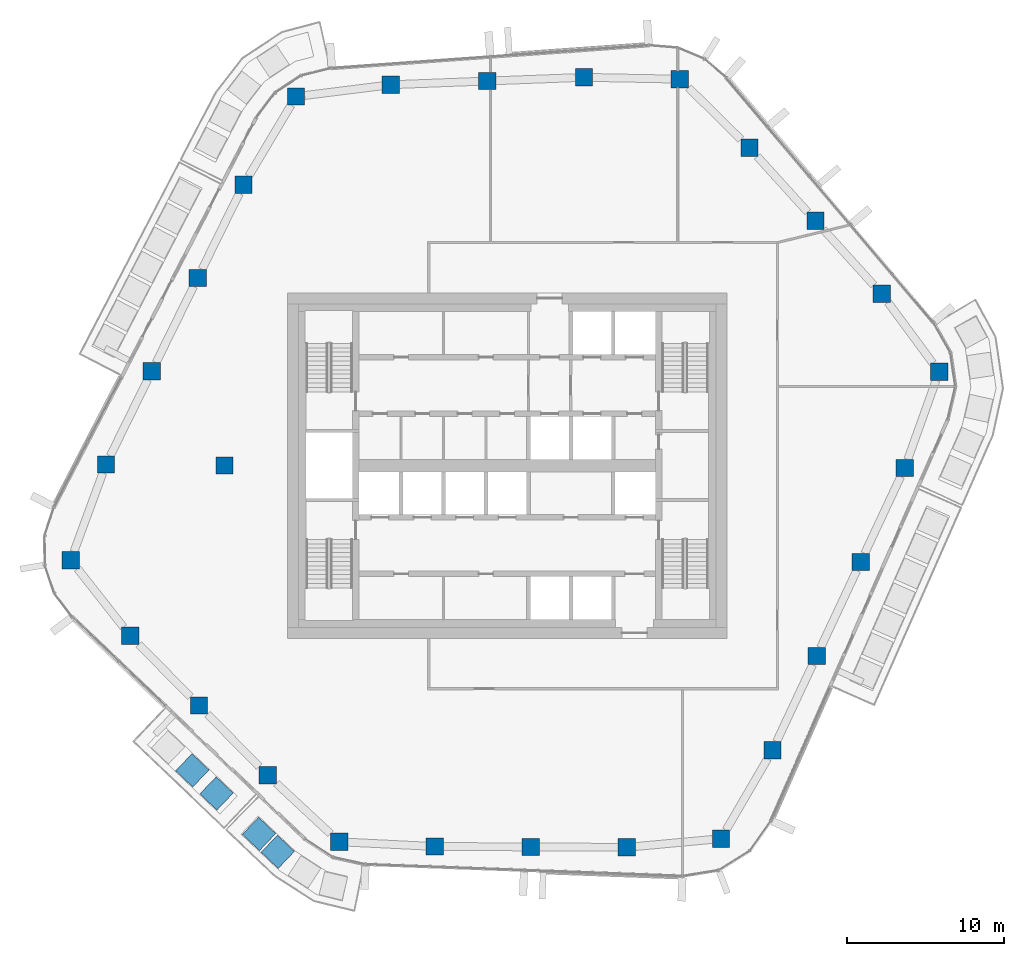
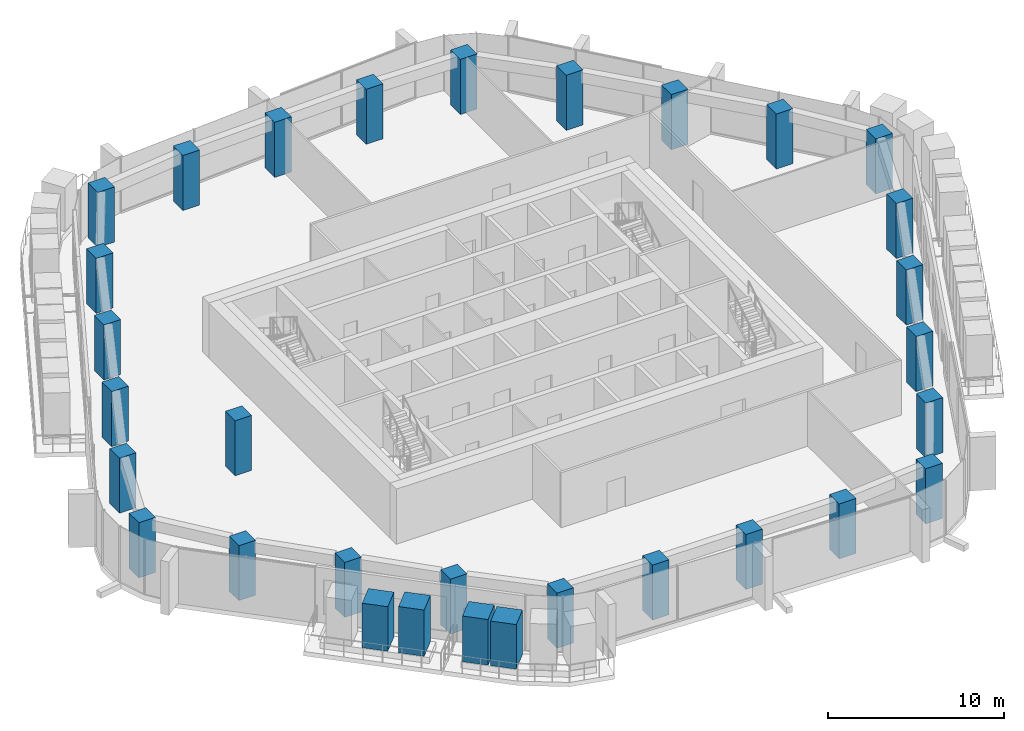
# One storey, part 1 of 21: 27 columns, 4 members.
"""IFC4 building model written with IfcOpenShell, lengths in metres."""

from ifc_helpers import new_model, si_unit, direction, frame, origin, origin_2d, place, context, subcontext, project, spatial, rectangle, extrude, material, material_profile, profile_set, type_object, element, save


model = new_model("IFC4")

# Units and contexts
model_context = context("Model", 3, precision=1e-05, world=origin(), true_north=direction((0.0, 1.0)))
body_context = subcontext(model_context, "Body", "Model", "MODEL_VIEW")
ifc_project = project(units=[si_unit("LENGTHUNIT", "METRE"), si_unit("AREAUNIT", "SQUARE_METRE"), si_unit("VOLUMEUNIT", "CUBIC_METRE"), si_unit("PLANEANGLEUNIT", "RADIAN"), si_unit("MASSUNIT", "GRAM", prefix="KILO")], contexts=[model_context])

# Site, building, storey
site_placement = place(None, origin())
site = spatial("IfcSite", under=ifc_project, at=site_placement, CompositionType="ELEMENT")
building_placement = place(site_placement, origin())
building = spatial("IfcBuilding", under=site, at=building_placement, Name="Dongbaek Canopy Tower", CompositionType="ELEMENT")
storey_placement = place(building_placement, frame((0.0, 0.0, 270.60009765625)))
storey = spatial("IfcBuildingStorey", under=building, at=storey_placement, Name="L57", CompositionType="ELEMENT", Elevation=270.60009765625)

# Columns
ifc_material_1 = material(Name="Concrete C70", Category="concrete")
ifc_material_profile_1 = material_profile(ifc_material_1, rectangle(XDim=1.10009765625, YDim=1.10009765625, at=origin_2d()), Name="RC COLUMN 1100x1100 C70")
ifc_profile_set_1 = profile_set([ifc_material_profile_1], Name="Concrete C70")
column_type = type_object("IfcColumnType", Name="RC COLUMN 1100x1100 C70", PredefinedType="COLUMN", material=ifc_profile_set_1)
for number, where, z_axis, x_axis, name in (
    (1, (13.612060546875, -23.74609375, 0.0), (0.0, 0.0, 1.0), (1.0, 0.0, 0.0), "COL:CZ4-01:L57"),
    (2, (7.615966796875, -24.300048828125, 0.0), (0.0, 0.0, 1.0), (1.0, 0.0, 0.0), "COL:CZ4-02:L57"),
    (3, (1.501953125, -24.27197265625, 0.0), (0.0, 0.0, 1.0), (1.0, 0.0, 0.0), "COL:CZ4-03:L57"),
    (4, (-4.611083984375, -24.24609375, 0.0), (0.0, 0.0, 1.0), (1.0, 0.0, 0.0), "COL:CZ4-04:L57"),
    (5, (-10.697021484375, -23.946044921875, 0.0), (0.0, 0.0, 1.0), (1.0, 0.0, 0.0), "COL:CZ4-05:L57"),
    (6, (-15.2470703125, -19.714111328125, 0.0), (0.0, 0.0, 1.0), (1.0, 0.0, 0.0), "COL:CZ4-06:L57"),
    (7, (-19.6220703125, -15.27197265625, 0.0), (0.0, 0.0, 1.0), (1.0, 0.0, 0.0), "COL:CZ4-07:L57"),
    (8, (-23.9970703125, -10.8291015625, 0.0), (0.0, 0.0, 1.0), (1.0, 0.0, 0.0), "COL:CZ4-08:L57"),
    (9, (-27.781982421875, -6.02001953125, 0.0), (0.0, 0.0, 1.0), (1.0, 0.0, 0.0), "COL:CZ4-09:L57"),
    (10, (-25.5400390625, 0.075927734375, 0.0), (0.0, 0.0, 1.0), (1.0, 0.0, 0.0), "COL:CZ4-10:L57"),
    (11, (-22.62109375, 6.010986328125, 0.0), (0.0, 0.0, 1.0), (1.0, 0.0, 0.0), "COL:CZ4-11:L57"),
    (12, (-19.701904296875, 11.945068359375, 0.0), (0.0, 0.0, 1.0), (1.0, 0.0, 0.0), "COL:CZ4-12:L57"),
    (13, (-16.783935546875, 17.8779296875, 0.0), (0.0, 0.0, 1.0), (1.0, 0.0, 0.0), "COL:CZ4-13:L57"),
    (14, (-13.44189453125, 23.490966796875, 0.0), (0.0, 0.0, 1.0), (1.0, 0.0, 0.0), "COL:CZ4-14:L57"),
    (15, (-7.4150390625, 24.242919921875, 0.0), (0.0, 0.0, 1.0), (1.0, 0.0, 0.0), "COL:CZ4-15:L57"),
    (16, (-1.26611328125, 24.47900390625, 0.0), (0.0, 0.0, 1.0), (1.0, 0.0, 0.0), "COL:CZ4-16:L57"),
    (17, (4.883056640625, 24.714111328125, 0.0), (0.0, 0.0, 1.0), (1.0, 0.0, 0.0), "COL:CZ4-17:L57"),
    (18, (10.989990234375, 24.59912109375, 0.0), (0.0, 0.0, 1.0), (1.0, 0.0, 0.0), "COL:CZ4-18:L57"),
    (19, (15.41796875, 20.22900390625, 0.0), (0.0, 0.0, 1.0), (1.0, 0.0, 0.0), "COL:CZ4-19:L57"),
    (20, (19.625, 15.583984375, 0.0), (0.0, 0.0, 1.0), (1.0, 0.0, 0.0), "COL:CZ4-20:L57"),
    (21, (23.8310546875, 10.93896484375, 0.0), (0.0, 0.0, 1.0), (1.0, 0.0, 0.0), "COL:CZ4-21:L57"),
    (22, (27.491943359375, 5.97705078125, 0.0), (0.0, 0.0, 1.0), (1.0, 0.0, 0.0), "COL:CZ4-22:L57"),
    (23, (25.302001953125, -0.152099609375, 0.0), (0.0, 0.0, 1.0), (1.0, 0.0, 0.0), "COL:CZ4-23:L57"),
    (24, (22.4990234375, -6.138916015625, 0.0), (0.0, 0.0, 1.0), (1.0, 0.0, 0.0), "COL:CZ4-24:L57"),
    (25, (19.695068359375, -12.126953125, 0.0), (0.0, 0.0, 1.0), (1.0, 0.0, 0.0), "COL:CZ4-25:L57"),
    (26, (16.889892578125, -18.114013671875, 0.0), (0.0, 0.0, 1.0), (1.0, 0.0, 0.0), "COL:CZ4-26:L57"),
    (27, (-18.0, 0.0, 0.0), (0.0, 0.0, 1.0), (1.0, 0.0, 0.0), "COL:CIZ4-01:L57"),
):
    element("IfcColumn", number, at=place(storey_placement, frame(where, z_axis=z_axis, x_axis=x_axis)), inside=storey, type_object=column_type, Name=name, PredefinedType="COLUMN", context=body_context, shape_type="SweptSolid", body=[
        extrude(rectangle(XDim=1.10009765625, YDim=1.10009765625, at=origin_2d()), origin(), (0.0, 0.0, 1.0), 3.81982421875),
    ])

# Members
ifc_material_2 = material(Name="Concrete C40/50 planter mass with planting", Category="concrete")
ifc_material_profile_2 = material_profile(ifc_material_2, rectangle(XDim=1.5, YDim=1.5, at=origin_2d()), Name="Terrace PLANTER shrub mass 1500 x 1500")
ifc_profile_set_2 = profile_set([ifc_material_profile_2], Name="Concrete C40/50 planter mass with planting")
member_type = type_object("IfcMemberType", Name="Terrace PLANTER shrub mass 1500 x 1500", PredefinedType="USERDEFINED", material=ifc_profile_set_2)
member_1_placement = place(storey_placement, frame((-20.043212890625, -19.400634765625, 0.419921875), z_axis=(0.0, 0.0, 1.0), x_axis=(-0.690481624386, -0.723349933562, 0.0)))
element("IfcMember", 28, at=member_1_placement, inside=storey, type_object=member_type, Name="Planter shrubs L57 2.2", ObjectType="PLANTER", PredefinedType="USERDEFINED", context=body_context, shape_type="SweptSolid", body=[
    extrude(rectangle(XDim=1.5, YDim=1.5, at=origin_2d()), origin(), (0.0, 0.0, 1.0), 3.090087890625),
])
member_2_placement = place(storey_placement, frame((-18.503662109375, -20.869873046875, 0.419921875), z_axis=(0.0, 0.0, 1.0), x_axis=(-0.690481624386, -0.723349933562, 0.0)))
element("IfcMember", 29, at=member_2_placement, inside=storey, type_object=member_type, Name="Planter shrubs L57 2.3", ObjectType="PLANTER", PredefinedType="USERDEFINED", context=body_context, shape_type="SweptSolid", body=[
    extrude(rectangle(XDim=1.5, YDim=1.5, at=origin_2d()), origin(), (0.0, 0.0, 1.0), 3.2099609375),
])
member_3_placement = place(storey_placement, frame((-15.798828125, -23.44970703125, 0.419921875), z_axis=(0.0, 0.0, 1.0), x_axis=(-0.68895657281, -0.724802621948, 0.0)))
element("IfcMember", 30, at=member_3_placement, inside=storey, type_object=member_type, Name="Planter shrubs L57 6.1", ObjectType="PLANTER", PredefinedType="USERDEFINED", context=body_context, shape_type="SweptSolid", body=[
    extrude(rectangle(XDim=1.5, YDim=1.5, at=origin_2d()), origin(), (0.0, 0.0, 1.0), 3.169921875),
])
member_4_placement = place(storey_placement, frame((-14.6044921875, -24.584716796875, 0.419921875), z_axis=(0.0, 0.0, 1.0), x_axis=(-0.68895657281, -0.724802621948, 0.0)))
element("IfcMember", 31, at=member_4_placement, inside=storey, type_object=member_type, Name="Planter shrubs L57 6.2", ObjectType="PLANTER", PredefinedType="USERDEFINED", context=body_context, shape_type="SweptSolid", body=[
    extrude(rectangle(XDim=1.5, YDim=1.5, at=origin_2d()), origin(), (0.0, 0.0, 1.0), 3.090087890625),
])

save(model, "model.ifc")
